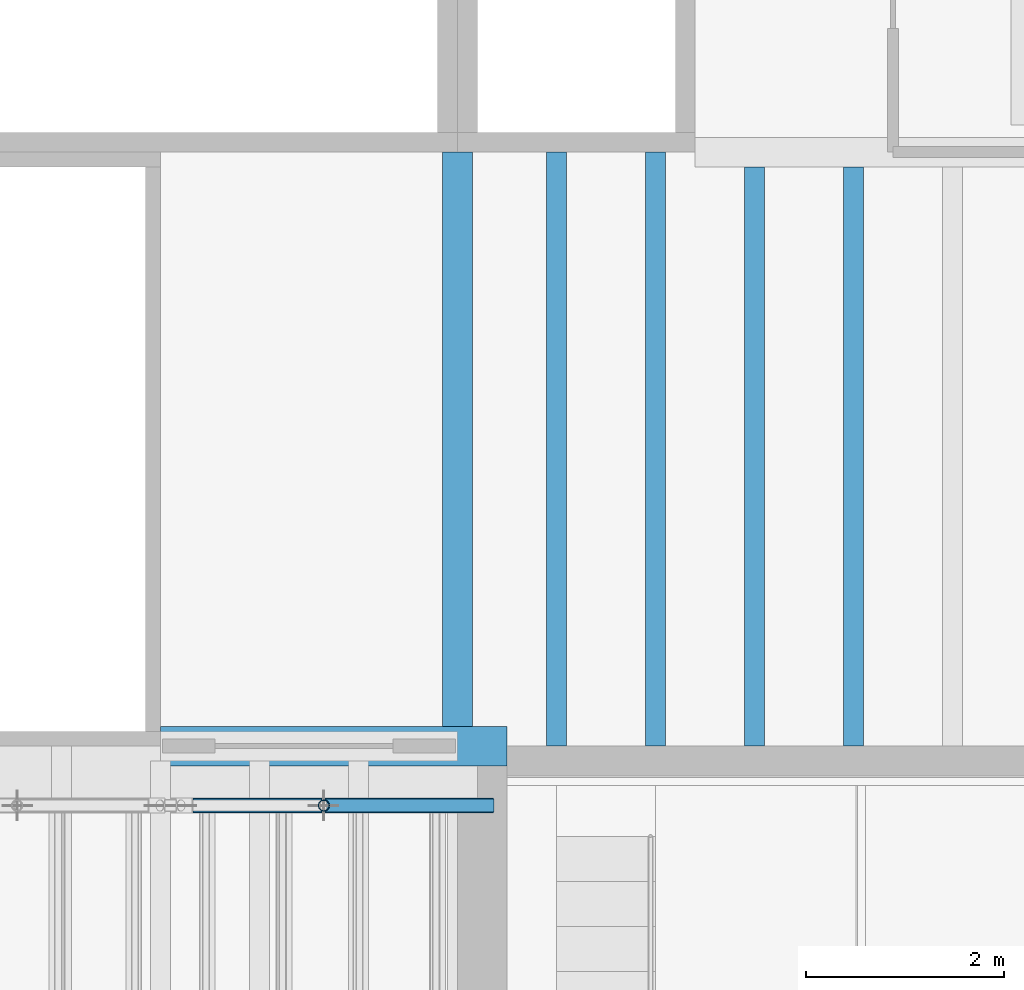
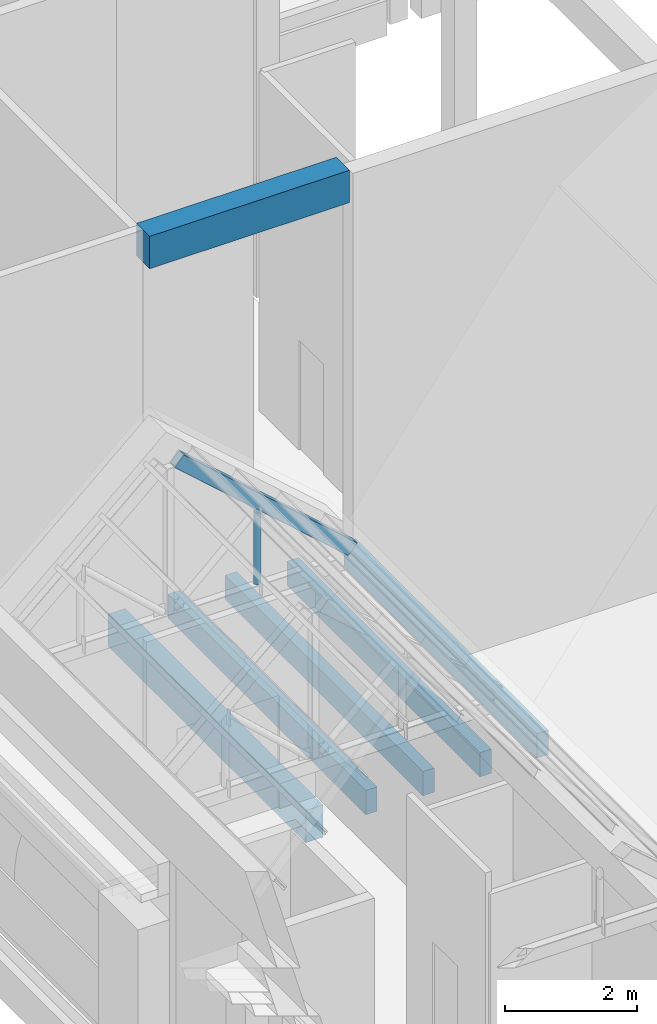
# One storey, part 42 of 118: 6 beams, 2 members.
"""IFC4 building model written with IfcOpenShell, lengths in metres."""

from ifc_helpers import new_model, si_unit, direction, frame, origin, origin_2d, place, context, subcontext, project, spatial, rectangle, hollow_rectangle, hollow_circle, extrude, material, material_profile, profile_set, type_object, element, save


model = new_model("IFC4")

# Units and contexts
model_context = context("Model", 3, precision=1e-05, world=origin(), true_north=direction((0.0, 1.0)))
body_context = subcontext(model_context, "Body", "Model", "MODEL_VIEW")
ifc_project = project(units=[si_unit("LENGTHUNIT", "METRE"), si_unit("AREAUNIT", "SQUARE_METRE"), si_unit("VOLUMEUNIT", "CUBIC_METRE"), si_unit("PLANEANGLEUNIT", "RADIAN"), si_unit("MASSUNIT", "GRAM", prefix="KILO")], contexts=[model_context])

# Site, building, storey
site_placement = place(None, origin())
site = spatial("IfcSite", under=ifc_project, at=site_placement, CompositionType="ELEMENT")
building_placement = place(site_placement, origin())
building = spatial("IfcBuilding", under=site, at=building_placement, Name="Saffron Lane Theatres", CompositionType="ELEMENT")
storey_placement = place(building_placement, frame((0.0, 0.0, 16.5)))
storey = spatial("IfcBuildingStorey", under=building, at=storey_placement, Name="L03", CompositionType="ELEMENT", Elevation=16.5)

# Beams
ifc_material_1 = material(Name="Concrete N40 (40 MPa)", Category="concrete")
ifc_material_profile_1 = material_profile(ifc_material_1, rectangle(XDim=0.300048828125, YDim=0.60009765625, at=origin_2d()))
ifc_profile_set_1 = profile_set([ifc_material_profile_1], Name="Concrete N40 (40 MPa)")
beam_type_1 = type_object("IfcBeamType", Name="RC-BEAM 300x600", PredefinedType="BEAM", material=ifc_profile_set_1)
beam_1_placement = place(storey_placement, frame((18.0, 90.0, -0.550048828125), z_axis=(0.0, 1.0, 0.0), x_axis=(-1.0, 0.0, 0.0)))
element("IfcBeam", 1, at=beam_1_placement, inside=storey, type_object=beam_type_1, Name="beam-L03-y180-900", PredefinedType="BEAM", context=body_context, shape_type="SweptSolid", body=[
    extrude(rectangle(XDim=0.300048828125, YDim=0.60009765625, at=origin_2d()), origin(), (0.0, 0.0, 1.0), 6.0),
])
ifc_material_2 = material(Name="Concrete N40 (40 MPa)", Category="concrete")
ifc_material_profile_2 = material_profile(ifc_material_2, rectangle(XDim=0.39990234375, YDim=0.60009765625, at=origin_2d()))
ifc_profile_set_2 = profile_set([ifc_material_profile_2], Name="Concrete N40 (40 MPa)")
beam_type_2 = type_object("IfcBeamType", Name="RC-BEAM 400x600", PredefinedType="BEAM", material=ifc_profile_set_2)
beam_2_placement = place(storey_placement, frame((15.0, 90.0, 11.199951171875), z_axis=(1.0, 0.0, 0.0), x_axis=(0.0, 1.0, 0.0)))
element("IfcBeam", 2, at=beam_2_placement, inside=storey, type_object=beam_type_2, Name="beam-roof-brick-x900-1", PredefinedType="BEAM", context=body_context, shape_type="SweptSolid", body=[
    extrude(rectangle(XDim=0.39990234375, YDim=0.60009765625, at=origin_2d()), origin(), (0.0, 0.0, 1.0), 3.5),
])
ifc_material_3 = material(Name="Concrete N40 (40 MPa)", Category="concrete")
ifc_material_profile_3 = material_profile(ifc_material_3, rectangle(XDim=0.199951171875, YDim=0.449951171875, at=origin_2d()))
ifc_profile_set_3 = profile_set([ifc_material_profile_3], Name="Concrete N40 (40 MPa)")
beam_type_3 = type_object("IfcBeamType", Name="RC-JOIST 200x450", PredefinedType="JOIST", material=ifc_profile_set_3)
for number, where, z_axis, x_axis, name in (
    (3, (19.0, 90.0, -0.47509765625), (0.0, 1.0, 0.0), (-1.0, 0.0, 0.0), "joist-L03-y1900-900"),
    (4, (20.0, 90.0, -0.47509765625), (0.0, 1.0, 0.0), (-1.0, 0.0, 0.0), "joist-L03-y2000-900"),
):
    element("IfcBeam", number, at=place(storey_placement, frame(where, z_axis=z_axis, x_axis=x_axis)), inside=storey, type_object=beam_type_3, Name=name, PredefinedType="JOIST", context=body_context, shape_type="SweptSolid", body=[
        extrude(rectangle(XDim=0.199951171875, YDim=0.449951171875, at=origin_2d()), origin(), (0.0, 0.0, 1.0), 6.0),
    ])
for number, where, z_axis, x_axis, name in (
    (5, (21.0, 90.0, -0.47509765625), (0.0, 1.0, 0.0), (-1.0, 0.0, 0.0), "joist-L03-y2100-900"),
    (6, (22.0, 90.0, -0.47509765625), (0.0, 1.0, 0.0), (-1.0, 0.0, 0.0), "joist-L03-y2200-900"),
):
    element("IfcBeam", number, at=place(storey_placement, frame(where, z_axis=z_axis, x_axis=x_axis)), inside=storey, type_object=beam_type_3, Name=name, PredefinedType="JOIST", context=body_context, shape_type="SweptSolid", body=[
        extrude(rectangle(XDim=0.199951171875, YDim=0.449951171875, at=origin_2d()), origin(), (0.0, 0.0, 1.0), 5.85009765625),
    ])

# Members
ifc_material_4 = material(Name="Steel Grade 350", Category="steel")
ifc_material_profile_4 = material_profile(ifc_material_4, hollow_rectangle(XDim=0.14990234375, YDim=0.25, WallThickness=0.009033203125, InnerFilletRadius=0.00439453125, OuterFilletRadius=0.013427734375, at=origin_2d()))
ifc_profile_set_4 = profile_set([ifc_material_profile_4], Name="Steel Grade 350")
member_type_1 = type_object("IfcMemberType", Name="ST-STUDIO TRUSS CHORD 250x150x9 RHS", PredefinedType="CHORD", material=ifc_profile_set_4)
member_1_placement = place(storey_placement, frame((18.282958984375, 89.39990234375, 4.843505859375), z_axis=(-0.748261446236, 0.0, 0.663403955428), x_axis=(0.0, -1.0, 0.0)))
element("IfcMember", 7, at=member_1_placement, inside=storey, type_object=member_type_1, Name="SB1-C51", PredefinedType="CHORD", context=body_context, shape_type="SweptSolid", body=[
    extrude(hollow_rectangle(XDim=0.14990234375, YDim=0.25, WallThickness=0.009033203125, InnerFilletRadius=0.00439453125, OuterFilletRadius=0.013427734375, at=origin_2d()), origin(), (0.0, 0.0, 1.0), 4.0595703125),
])
ifc_material_5 = material(Name="Steel Grade 350", Category="steel")
ifc_material_profile_5 = material_profile(ifc_material_5, hollow_circle(Radius=0.05712890625, WallThickness=0.006103515625, at=origin_2d()))
ifc_profile_set_5 = profile_set([ifc_material_profile_5], Name="Steel Grade 350")
member_type_2 = type_object("IfcMemberType", Name="ST-STUDIO TRUSS WEB 114.3x6.0 CHS", PredefinedType="BRACE", material=ifc_profile_set_5)
member_2_placement = place(storey_placement, frame((16.64990234375, 89.39990234375, 4.75), z_axis=(0.0, 0.0, 1.0), x_axis=(1.0, 0.0, 0.0)))
element("IfcMember", 8, at=member_2_placement, inside=storey, type_object=member_type_2, Name="SB1-W54", PredefinedType="BRACE", context=body_context, shape_type="SweptSolid", body=[
    extrude(hollow_circle(Radius=0.05712890625, WallThickness=0.006103515625, at=origin_2d()), origin(), (0.0, 0.0, 1.0), 1.323486328125),
])

save(model, "model.ifc")
